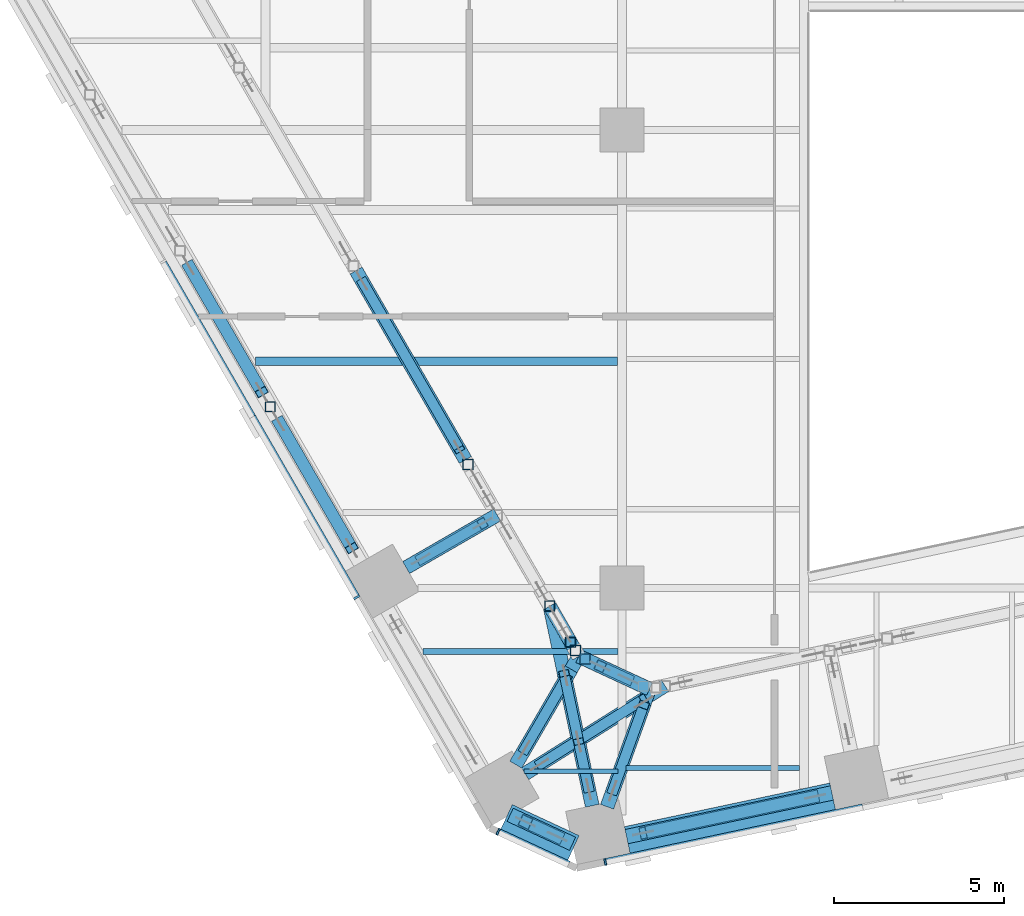
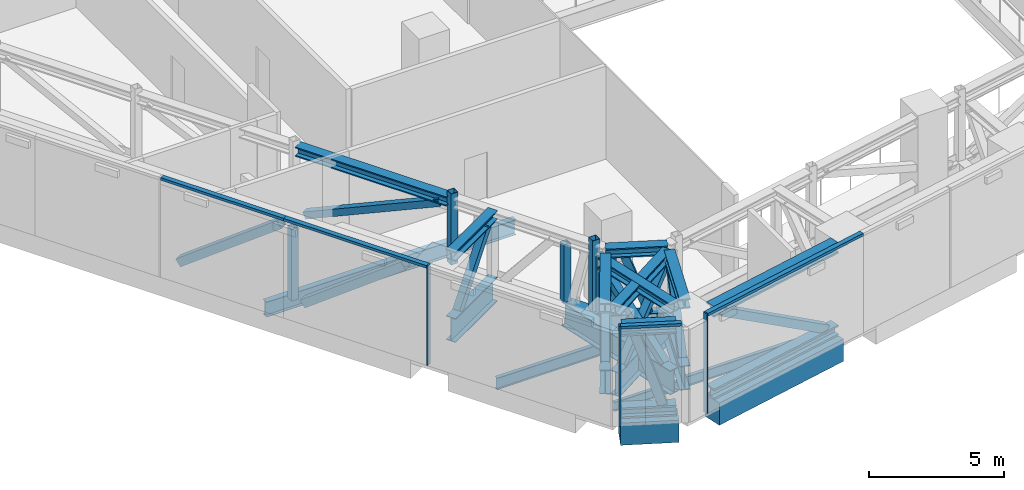
# One storey, part 2 of 36: 43 members, 6 beams, 3 elements without a shape of their own.
"""IFC4 building model written with IfcOpenShell, lengths in metres."""

from ifc_helpers import new_model, si_unit, direction, frame, origin, origin_2d, place, context, subcontext, project, spatial, rectangle, hollow_rectangle, i_section, extrude, material, layer, layer_set, material_profile, profile_set, type_object, element, aggregate, save


model = new_model("IFC4")

# Units and contexts
model_context = context("Model", 3, precision=1e-05, world=origin(), true_north=direction((0.0, 1.0)))
body_context = subcontext(model_context, "Body", "Model", "MODEL_VIEW")
ifc_project = project(units=[si_unit("LENGTHUNIT", "METRE"), si_unit("AREAUNIT", "SQUARE_METRE"), si_unit("VOLUMEUNIT", "CUBIC_METRE"), si_unit("PLANEANGLEUNIT", "RADIAN"), si_unit("MASSUNIT", "GRAM", prefix="KILO")], contexts=[model_context])

# Site, building, storey
site_placement = place(None, origin())
site = spatial("IfcSite", under=ifc_project, at=site_placement, CompositionType="ELEMENT")
building_placement = place(site_placement, origin())
building = spatial("IfcBuilding", under=site, at=building_placement, Name="Isthmus Gate Tower", CompositionType="ELEMENT")
storey_placement = place(building_placement, frame((0.0, 0.0, 117.14990234375)))
storey = spatial("IfcBuildingStorey", under=building, at=storey_placement, Name="L28", CompositionType="ELEMENT", Elevation=117.14990234375)

# Members
ifc_material_1 = material(Name="Structural steel ASTM A913 Gr 65", Category="steel")
ifc_material_profile_1 = material_profile(ifc_material_1, i_section(OverallWidth=0.4287109375, OverallDepth=0.482666015625, WebThickness=0.05078125, FlangeThickness=0.0810546875, at=origin_2d()), Name="W14X455")
ifc_profile_set_1 = profile_set([ifc_material_profile_1], Name="Structural steel ASTM A913 Gr 65")
member_type_1 = type_object("IfcMemberType", Name="BELT TRUSS CHORD W14X455", PredefinedType="CHORD", material=ifc_profile_set_1)
for number, where, z_axis, x_axis, name in (
    (1, (-7.310302734375, -33.042724609375, 0.241455078125), (-0.978147421176, -0.207912535568, 0.0), (0.207912535568, -0.978147421176, 0.0), "str-belt13-L28-01"),
    (2, (-7.310302734375, -33.042724609375, 3.958740234375), (-0.978147421176, -0.207912535568, 0.0), (0.207912535568, -0.978147421176, 0.0), "str-belt13-L28-02"),
):
    element("IfcMember", number, at=place(storey_placement, frame(where, z_axis=z_axis, x_axis=x_axis)), inside=storey, type_object=member_type_1, Name=name, PredefinedType="CHORD", context=body_context, shape_type="SweptSolid", body=[
        extrude(i_section(OverallWidth=0.4287109375, OverallDepth=0.482666015625, WebThickness=0.05078125, FlangeThickness=0.0810546875, at=origin_2d()), origin(), (0.0, 0.0, 1.0), 6.189453125),
    ])
for number, where, z_axis, x_axis, name in (
    (3, (-14.95556640625, -34.5400390625, 0.241455078125), (-0.90721087696, 0.420676151838, 0.0), (-0.420676151838, -0.90721087696, 0.0), "str-belt14-L28-01"),
    (4, (-14.95556640625, -34.5400390625, 3.958740234375), (-0.90721087696, 0.420676151838, 0.0), (-0.420676151838, -0.90721087696, 0.0), "str-belt14-L28-02"),
):
    element("IfcMember", number, at=place(storey_placement, frame(where, z_axis=z_axis, x_axis=x_axis)), inside=storey, type_object=member_type_1, Name=name, PredefinedType="CHORD", context=body_context, shape_type="SweptSolid", body=[
        extrude(i_section(OverallWidth=0.4287109375, OverallDepth=0.482666015625, WebThickness=0.05078125, FlangeThickness=0.0810546875, at=origin_2d()), origin(), (0.0, 0.0, 1.0), 2.02783203125),
    ])

# Curtain wall, member
ifc_material_2 = material(Name="Aluminium, pale champagne anodised", Category="aluminium")
ifc_layer = layer(ifc_material_2, 0.199951171875)
ifc_layer_set = layer_set([ifc_layer], Name="CW-2 LOUVRE CURTAIN WALL 200 DEEP")
curtain_wall_type = type_object("IfcCurtainWallType", Name="CW-2 LOUVRE CURTAIN WALL 200 DEEP", PredefinedType="NOTDEFINED", material=ifc_layer_set)
curtain_wall_1_placement = place(storey_placement, origin())
curtain_wall_1 = element("IfcCurtainWall", 5, at=curtain_wall_1_placement, inside=storey, type_object=curtain_wall_type, Name="CW-2 SW L28", PredefinedType="NOTDEFINED")
ifc_material_3 = material(Name="Aluminium, pale champagne anodised", Category="aluminium")
ifc_material_profile_2 = material_profile(ifc_material_3, rectangle(XDim=0.06005859375, YDim=0.199951171875, at=origin_2d()), Name="60x200")
ifc_profile_set_2 = profile_set([ifc_material_profile_2], Name="Aluminium, pale champagne anodised")
member_type_2 = type_object("IfcMemberType", Name="CW-2 MULLION 60 X 200", PredefinedType="MULLION", material=ifc_profile_set_2)
member_1_placement = place(storey_placement, frame((-21.318115234375, -27.27587890625, 0.0), z_axis=(0.0, 0.0, 1.0), x_axis=(0.5, -0.866025403784, 0.0)))
member_1 = element("IfcMember", 6, at=member_1_placement, type_object=member_type_2, Name="CW-2 mullion", PredefinedType="MULLION", context=body_context, shape_type="SweptSolid", body=[
    extrude(rectangle(XDim=0.06005859375, YDim=0.199951171875, at=origin_2d()), origin(), (0.0, 0.0, 1.0), 4.5),
])

curtain_wall_2_placement = place(storey_placement, origin())
curtain_wall_2 = element("IfcCurtainWall", 7, at=curtain_wall_2_placement, inside=storey, type_object=curtain_wall_type, Name="CW-2 SW-S L28", PredefinedType="NOTDEFINED")
member_2_placement = place(storey_placement, frame((-17.14794921875, -34.184814453125, 0.0), z_axis=(0.0, 0.0, 1.0), x_axis=(0.907256261367, -0.420578264073, 0.0)))
member_2 = element("IfcMember", 8, at=member_2_placement, type_object=member_type_2, Name="CW-2 mullion", PredefinedType="MULLION", context=body_context, shape_type="SweptSolid", body=[
    extrude(rectangle(XDim=0.06005859375, YDim=0.199951171875, at=origin_2d()), origin(), (0.0, 0.0, 1.0), 4.5),
])

curtain_wall_3_placement = place(storey_placement, origin())
curtain_wall_3 = element("IfcCurtainWall", 9, at=curtain_wall_3_placement, inside=storey, type_object=curtain_wall_type, Name="CW-2 S L28", PredefinedType="NOTDEFINED")
member_3_placement = place(storey_placement, frame((-13.992919921875, -35.076416015625, 0.0), z_axis=(0.0, 0.0, 1.0), x_axis=(0.978147600734, 0.207911690818, 0.0)))
member_3 = element("IfcMember", 10, at=member_3_placement, type_object=member_type_2, Name="CW-2 mullion", PredefinedType="MULLION", context=body_context, shape_type="SweptSolid", body=[
    extrude(rectangle(XDim=0.06005859375, YDim=0.199951171875, at=origin_2d()), origin(), (0.0, 0.0, 1.0), 4.5),
])

# Member
ifc_material_4 = material(Name="Aluminium, pale champagne anodised", Category="aluminium")
ifc_material_profile_3 = material_profile(ifc_material_4, rectangle(XDim=0.199951171875, YDim=0.1201171875, at=origin_2d()), Name="200x120")
ifc_profile_set_3 = profile_set([ifc_material_profile_3], Name="Aluminium, pale champagne anodised")
member_type_3 = type_object("IfcMemberType", Name="CW-2 TRANSOM 200 X 120", PredefinedType="USERDEFINED", material=ifc_profile_set_3)
member_4_placement = place(storey_placement, frame((-27.01171875, -17.414306640625, 4.440185546875), z_axis=(0.499996256241, -0.866027565234, 0.0), x_axis=(0.866027565234, 0.499996256241, 0.0)))
member_4 = element("IfcMember", 11, at=member_4_placement, type_object=member_type_3, Name="CW-2 transom", ObjectType="TRANSOM", PredefinedType="USERDEFINED", context=body_context, shape_type="SweptSolid", body=[
    extrude(rectangle(XDim=0.199951171875, YDim=0.1201171875, at=origin_2d()), origin(), (0.0, 0.0, 1.0), 5.24853515625),
])

member_5_placement = place(storey_placement, frame((-24.387451171875, -21.959716796875, 4.440185546875), z_axis=(0.500011900272, -0.86601853305, 0.0), x_axis=(0.86601853305, 0.500011900272, 0.0)))
member_5 = element("IfcMember", 12, at=member_5_placement, type_object=member_type_3, Name="CW-2 transom", ObjectType="TRANSOM", PredefinedType="USERDEFINED", context=body_context, shape_type="SweptSolid", body=[
    extrude(rectangle(XDim=0.199951171875, YDim=0.1201171875, at=origin_2d()), origin(), (0.0, 0.0, 1.0), 6.108642578125),
])

aggregate(curtain_wall_1, [member_4, member_5, member_1])

member_6_placement = place(storey_placement, frame((-17.120849609375, -34.197509765625, 4.440185546875), z_axis=(0.907246225564, -0.420599912268, 0.0), x_axis=(0.420599912268, 0.907246225564, 0.0)))
member_6 = element("IfcMember", 13, at=member_6_placement, type_object=member_type_3, Name="CW-2 transom", ObjectType="TRANSOM", PredefinedType="USERDEFINED", context=body_context, shape_type="SweptSolid", body=[
    extrude(rectangle(XDim=0.199951171875, YDim=0.1201171875, at=origin_2d()), origin(), (0.0, 0.0, 1.0), 2.258544921875),
])

aggregate(curtain_wall_2, [member_2, member_6])

member_7_placement = place(storey_placement, frame((-13.963623046875, -35.0703125, 4.440185546875), z_axis=(0.97815050153, 0.207898043176, 0.0), x_axis=(-0.207898043176, 0.97815050153, 0.0)))
member_7 = element("IfcMember", 14, at=member_7_placement, type_object=member_type_3, Name="CW-2 transom", ObjectType="TRANSOM", PredefinedType="USERDEFINED", context=body_context, shape_type="SweptSolid", body=[
    extrude(rectangle(XDim=0.199951171875, YDim=0.1201171875, at=origin_2d()), origin(), (0.0, 0.0, 1.0), 7.7294921875),
])

aggregate(curtain_wall_3, [member_3, member_7])

# Beams
ifc_material_5 = material(Name="Concrete f'c 70 MPa", Category="concrete")
ifc_material_profile_4 = material_profile(ifc_material_5, rectangle(XDim=0.800048828125, YDim=1.0, at=origin_2d()), Name="RC 800X1000")
ifc_profile_set_4 = profile_set([ifc_material_profile_4], Name="Concrete f'c 70 MPa")
beam_type_1 = type_object("IfcBeamType", Name="RC SPANDREL 800 X 1000", PredefinedType="SPANDREL", material=ifc_profile_set_4)
beam_1_placement = place(storey_placement, frame((-7.28955078125, -33.140625, -0.5), z_axis=(-0.978155442329, -0.207874795591, 0.0), x_axis=(0.207874795591, -0.978155442329, 0.0)))
element("IfcBeam", 15, at=beam_1_placement, inside=storey, type_object=beam_type_1, Name="str-spandrel-L28-13", PredefinedType="SPANDREL", context=body_context, shape_type="SweptSolid", body=[
    extrude(rectangle(XDim=0.800048828125, YDim=1.0, at=origin_2d()), origin(), (0.0, 0.0, 1.0), 6.189453125),
])
beam_2_placement = place(storey_placement, frame((-14.929443359375, -34.662109375, -0.5), z_axis=(-0.907290744498, 0.420503870314, 0.0), x_axis=(-0.420503870314, -0.907290744498, 0.0)))
element("IfcBeam", 16, at=beam_2_placement, inside=storey, type_object=beam_type_1, Name="str-spandrel-L28-14", PredefinedType="SPANDREL", context=body_context, shape_type="SweptSolid", body=[
    extrude(rectangle(XDim=0.800048828125, YDim=1.0, at=origin_2d()), origin(), (0.0, 0.0, 1.0), 2.173095703125),
])
ifc_material_6 = material(Name="Structural steel ASTM A992 Gr 50", Category="steel")
ifc_material_profile_5 = material_profile(ifc_material_6, i_section(OverallWidth=0.1396484375, OverallDepth=0.4033203125, WebThickness=0.00634765625, FlangeThickness=0.010986328125, at=origin_2d()), Name="W16X31")
ifc_profile_set_5 = profile_set([ifc_material_profile_5], Name="Structural steel ASTM A992 Gr 50")
beam_type_2 = type_object("IfcBeamType", Name="STEEL FLOOR BEAM W16X31", PredefinedType="JOIST", material=ifc_profile_set_5)
beam_3_placement = place(storey_placement, frame((-16.393310546875, -32.406005859375, -0.50146484375), z_axis=(1.0, 0.0, 0.0), x_axis=(0.0, 1.0, 0.0)))
element("IfcBeam", 17, at=beam_3_placement, inside=storey, type_object=beam_type_2, Name="str-beam-L28-10-00", PredefinedType="JOIST", context=body_context, shape_type="SweptSolid", body=[
    extrude(i_section(OverallWidth=0.1396484375, OverallDepth=0.4033203125, WebThickness=0.00634765625, FlangeThickness=0.010986328125, at=origin_2d()), origin(), (0.0, 0.0, 1.0), 2.779052734375),
])
ifc_material_7 = material(Name="Structural steel ASTM A992 Gr 50", Category="steel")
ifc_material_profile_6 = material_profile(ifc_material_7, i_section(OverallWidth=0.15234375, OverallDepth=0.45068359375, WebThickness=0.0078125, FlangeThickness=0.010986328125, at=origin_2d()), Name="W18X35")
ifc_profile_set_6 = profile_set([ifc_material_profile_6], Name="Structural steel ASTM A992 Gr 50")
beam_type_3 = type_object("IfcBeamType", Name="STEEL FLOOR BEAM W18X35", PredefinedType="JOIST", material=ifc_profile_set_6)
beam_4_placement = place(storey_placement, frame((-13.3857421875, -32.30322265625, -0.525390625), z_axis=(1.0, 0.0, 0.0), x_axis=(0.0, 1.0, 0.0)))
element("IfcBeam", 18, at=beam_4_placement, inside=storey, type_object=beam_type_3, Name="str-beam-L28-11-00", PredefinedType="JOIST", context=body_context, shape_type="SweptSolid", body=[
    extrude(i_section(OverallWidth=0.15234375, OverallDepth=0.45068359375, WebThickness=0.0078125, FlangeThickness=0.010986328125, at=origin_2d()), origin(), (0.0, 0.0, 1.0), 5.119140625),
])
ifc_material_8 = material(Name="Structural steel ASTM A992 Gr 50", Category="steel")
ifc_material_profile_7 = material_profile(ifc_material_8, i_section(OverallWidth=0.1650390625, OverallDepth=0.52392578125, WebThickness=0.009521484375, FlangeThickness=0.010986328125, at=origin_2d()), Name="W21X44")
ifc_profile_set_7 = profile_set([ifc_material_profile_7], Name="Structural steel ASTM A992 Gr 50")
beam_type_4 = type_object("IfcBeamType", Name="STEEL FLOOR BEAM W21X44", PredefinedType="JOIST", material=ifc_profile_set_7)
beam_5_placement = place(storey_placement, frame((-19.357421875, -28.871826171875, -0.561767578125), z_axis=(1.0, 0.0, 0.0), x_axis=(0.0, 1.0, 0.0)))
element("IfcBeam", 19, at=beam_5_placement, inside=storey, type_object=beam_type_4, Name="str-beam-L28-10-01", PredefinedType="JOIST", context=body_context, shape_type="SweptSolid", body=[
    extrude(i_section(OverallWidth=0.1650390625, OverallDepth=0.52392578125, WebThickness=0.009521484375, FlangeThickness=0.010986328125, at=origin_2d()), origin(), (0.0, 0.0, 1.0), 5.7431640625),
])
ifc_material_9 = material(Name="Structural steel ASTM A992 Gr 50", Category="steel")
ifc_material_profile_8 = material_profile(ifc_material_9, i_section(OverallWidth=0.25390625, OverallDepth=0.679443359375, WebThickness=0.010986328125, FlangeThickness=0.015869140625, at=origin_2d()), Name="W27X84")
ifc_profile_set_8 = profile_set([ifc_material_profile_8], Name="Structural steel ASTM A992 Gr 50")
beam_type_5 = type_object("IfcBeamType", Name="STEEL FLOOR BEAM W27X84", PredefinedType="JOIST", material=ifc_profile_set_8)
beam_6_placement = place(storey_placement, frame((-24.296875, -20.316650390625, -0.6396484375), z_axis=(1.0, 0.0, 0.0), x_axis=(0.0, 1.0, 0.0)))
element("IfcBeam", 20, at=beam_6_placement, inside=storey, type_object=beam_type_5, Name="str-beam-L28-06-01", PredefinedType="JOIST", context=body_context, shape_type="SweptSolid", body=[
    extrude(i_section(OverallWidth=0.25390625, OverallDepth=0.679443359375, WebThickness=0.010986328125, FlangeThickness=0.015869140625, at=origin_2d()), origin(), (0.0, 0.0, 1.0), 10.6650390625),
])

# Members
ifc_material_10 = material(Name="Structural steel ASTM A913 Gr 65", Category="steel")
ifc_material_profile_9 = material_profile(ifc_material_10, i_section(OverallWidth=0.40966796875, OverallDepth=0.42529296875, WebThickness=0.033203125, FlangeThickness=0.052490234375, at=origin_2d()), Name="W14X283")
ifc_profile_set_9 = profile_set([ifc_material_profile_9], Name="Structural steel ASTM A913 Gr 65")
member_type_4 = type_object("IfcMemberType", Name="TRANSFER TRUSS CHORD W14X283", PredefinedType="CHORD", material=ifc_profile_set_9)
member_8_placement = place(storey_placement, frame((-12.685791015625, -29.980712890625, 3.887451171875), z_axis=(-0.907283933545, 0.420518565501, 0.0), x_axis=(-0.420518565501, -0.907283933545, 0.0)))
element("IfcMember", 21, at=member_8_placement, inside=storey, type_object=member_type_4, Name="str-ring06-L28-04", PredefinedType="CHORD", context=body_context, shape_type="SweptSolid", body=[
    extrude(i_section(OverallWidth=0.40966796875, OverallDepth=0.42529296875, WebThickness=0.033203125, FlangeThickness=0.052490234375, at=origin_2d()), origin(), (0.0, 0.0, 1.0), 2.299560546875),
])
member_9_placement = place(storey_placement, frame((-18.113037109375, -23.227294921875, 3.887451171875), z_axis=(-0.500017561474, 0.866015264425, 0.0), x_axis=(-0.866015264425, -0.500017561474, 0.0)))
element("IfcMember", 22, at=member_9_placement, inside=storey, type_object=member_type_4, Name="str-ring07-L28-15", PredefinedType="CHORD", context=body_context, shape_type="SweptSolid", body=[
    extrude(i_section(OverallWidth=0.40966796875, OverallDepth=0.42529296875, WebThickness=0.033203125, FlangeThickness=0.052490234375, at=origin_2d()), origin(), (0.0, 0.0, 1.0), 6.445068359375),
])
member_10_placement = place(storey_placement, frame((-19.86083984375, -26.39990234375, 3.887451171875), z_axis=(0.866043940782, 0.499967891604, 0.0), x_axis=(-0.499967891604, 0.866043940782, 0.0)))
element("IfcMember", 23, at=member_10_placement, inside=storey, type_object=member_type_4, Name="str-link11-L28-02", PredefinedType="CHORD", context=body_context, shape_type="SweptSolid", body=[
    extrude(i_section(OverallWidth=0.40966796875, OverallDepth=0.42529296875, WebThickness=0.033203125, FlangeThickness=0.052490234375, at=origin_2d()), origin(), (0.0, 0.0, 1.0), 3.099853515625),
])
member_11_placement = place(storey_placement, frame((-16.3544921875, -32.474365234375, 3.887451171875), z_axis=(0.846845980754, 0.53183821307, 0.0), x_axis=(-0.53183821307, 0.846845980754, 0.0)))
element("IfcMember", 24, at=member_11_placement, inside=storey, type_object=member_type_4, Name="str-link12-L28-02", PredefinedType="CHORD", context=body_context, shape_type="SweptSolid", body=[
    extrude(i_section(OverallWidth=0.40966796875, OverallDepth=0.42529296875, WebThickness=0.033203125, FlangeThickness=0.052490234375, at=origin_2d()), origin(), (0.0, 0.0, 1.0), 4.12548828125),
])
member_12_placement = place(storey_placement, frame((-14.375732421875, -33.419921875, 3.887451171875), z_axis=(-0.207910742722, 0.978147802257, 0.0), x_axis=(-0.978147802257, -0.207910742722, 0.0)))
element("IfcMember", 25, at=member_12_placement, inside=storey, type_object=member_type_4, Name="str-link13-L28-02", PredefinedType="CHORD", context=body_context, shape_type="SweptSolid", body=[
    extrude(i_section(OverallWidth=0.40966796875, OverallDepth=0.42529296875, WebThickness=0.033203125, FlangeThickness=0.052490234375, at=origin_2d()), origin(), (0.0, 0.0, 1.0), 3.98779296875),
])
member_13_placement = place(storey_placement, frame((-13.937744140625, -33.449951171875, 3.887451171875), z_axis=(0.339441146791, 0.940627294876, 0.0), x_axis=(-0.940627294876, 0.339441146791, 0.0)))
element("IfcMember", 26, at=member_13_placement, inside=storey, type_object=member_type_4, Name="str-link33-L28-02", PredefinedType="CHORD", context=body_context, shape_type="SweptSolid", body=[
    extrude(i_section(OverallWidth=0.40966796875, OverallDepth=0.42529296875, WebThickness=0.033203125, FlangeThickness=0.052490234375, at=origin_2d()), origin(), (0.0, 0.0, 1.0), 3.245849609375),
])
member_14_placement = place(storey_placement, frame((-16.6298828125, -32.208251953125, 3.887451171875), z_axis=(0.502637430954, 0.864497318101, 0.0), x_axis=(-0.864497318101, 0.502637430954, 0.0)))
element("IfcMember", 27, at=member_14_placement, inside=storey, type_object=member_type_4, Name="str-link34-L28-02", PredefinedType="CHORD", context=body_context, shape_type="SweptSolid", body=[
    extrude(i_section(OverallWidth=0.40966796875, OverallDepth=0.42529296875, WebThickness=0.033203125, FlangeThickness=0.052490234375, at=origin_2d()), origin(), (0.0, 0.0, 1.0), 3.25),
])
ifc_material_11 = material(Name="Structural steel ASTM A913 Gr 65", Category="steel")
ifc_material_profile_10 = material_profile(ifc_material_11, i_section(OverallWidth=0.39990234375, OverallDepth=1.089111328125, WebThickness=0.017578125, FlangeThickness=0.03173828125, at=origin_2d()), Name="W44X230")
ifc_profile_set_10 = profile_set([ifc_material_profile_10], Name="Structural steel ASTM A913 Gr 65")
member_type_5 = type_object("IfcMemberType", Name="TRANSFER TRUSS CHORD W44X230", PredefinedType="CHORD", material=ifc_profile_set_10)
member_15_placement = place(storey_placement, frame((-12.685791015625, -29.980712890625, 0.544677734375), z_axis=(-0.907283933545, 0.420518565501, 0.0), x_axis=(-0.420518565501, -0.907283933545, 0.0)))
element("IfcMember", 28, at=member_15_placement, inside=storey, type_object=member_type_5, Name="str-ring06-L28-03", PredefinedType="CHORD", context=body_context, shape_type="SweptSolid", body=[
    extrude(i_section(OverallWidth=0.39990234375, OverallDepth=1.089111328125, WebThickness=0.017578125, FlangeThickness=0.03173828125, at=origin_2d()), origin(), (0.0, 0.0, 1.0), 2.299560546875),
])
member_16_placement = place(storey_placement, frame((-14.772216796875, -29.013671875, 0.544677734375), z_axis=(-0.500011000363, 0.866019052629, 0.0), x_axis=(-0.866019052629, -0.500011000363, 0.0)))
element("IfcMember", 29, at=member_16_placement, inside=storey, type_object=member_type_5, Name="str-ring07-L28-10", PredefinedType="CHORD", context=body_context, shape_type="SweptSolid", body=[
    extrude(i_section(OverallWidth=0.39990234375, OverallDepth=1.089111328125, WebThickness=0.017578125, FlangeThickness=0.03173828125, at=origin_2d()), origin(), (0.0, 0.0, 1.0), 1.708984375),
])
member_17_placement = place(storey_placement, frame((-19.86083984375, -26.39990234375, 0.544677734375), z_axis=(0.866043940782, 0.499967891604, 0.0), x_axis=(-0.499967891604, 0.866043940782, 0.0)))
element("IfcMember", 30, at=member_17_placement, inside=storey, type_object=member_type_5, Name="str-link11-L28-01", PredefinedType="CHORD", context=body_context, shape_type="SweptSolid", body=[
    extrude(i_section(OverallWidth=0.39990234375, OverallDepth=1.089111328125, WebThickness=0.017578125, FlangeThickness=0.03173828125, at=origin_2d()), origin(), (0.0, 0.0, 1.0), 3.099853515625),
])
member_18_placement = place(storey_placement, frame((-16.3544921875, -32.474365234375, 0.544677734375), z_axis=(0.846847466742, 0.531835846923, 0.0), x_axis=(-0.531835846923, 0.846847466742, 0.0)))
element("IfcMember", 31, at=member_18_placement, inside=storey, type_object=member_type_5, Name="str-link12-L28-01", PredefinedType="CHORD", context=body_context, shape_type="SweptSolid", body=[
    extrude(i_section(OverallWidth=0.39990234375, OverallDepth=1.089111328125, WebThickness=0.017578125, FlangeThickness=0.03173828125, at=origin_2d()), origin(), (0.0, 0.0, 1.0), 4.87109375),
])
member_19_placement = place(storey_placement, frame((-14.375732421875, -33.419921875, 0.544677734375), z_axis=(-0.207913582714, 0.978147198597, 0.0), x_axis=(-0.978147198597, -0.207913582714, 0.0)))
element("IfcMember", 32, at=member_19_placement, inside=storey, type_object=member_type_5, Name="str-link13-L28-01", PredefinedType="CHORD", context=body_context, shape_type="SweptSolid", body=[
    extrude(i_section(OverallWidth=0.39990234375, OverallDepth=1.089111328125, WebThickness=0.017578125, FlangeThickness=0.03173828125, at=origin_2d()), origin(), (0.0, 0.0, 1.0), 6.01806640625),
])
member_20_placement = place(storey_placement, frame((-13.937744140625, -33.449951171875, 0.544677734375), z_axis=(0.339446007912, 0.940625540645, 0.0), x_axis=(-0.940625540645, 0.339446007912, 0.0)))
element("IfcMember", 33, at=member_20_placement, inside=storey, type_object=member_type_5, Name="str-link33-L28-01", PredefinedType="CHORD", context=body_context, shape_type="SweptSolid", body=[
    extrude(i_section(OverallWidth=0.39990234375, OverallDepth=1.089111328125, WebThickness=0.017578125, FlangeThickness=0.03173828125, at=origin_2d()), origin(), (0.0, 0.0, 1.0), 3.688232421875),
])
member_21_placement = place(storey_placement, frame((-16.6298828125, -32.208251953125, 0.544677734375), z_axis=(0.502691648218, 0.864465792737, 0.0), x_axis=(-0.864465792737, 0.502691648218, 0.0)))
element("IfcMember", 34, at=member_21_placement, inside=storey, type_object=member_type_5, Name="str-link34-L28-01", PredefinedType="CHORD", context=body_context, shape_type="SweptSolid", body=[
    extrude(i_section(OverallWidth=0.39990234375, OverallDepth=1.089111328125, WebThickness=0.017578125, FlangeThickness=0.03173828125, at=origin_2d()), origin(), (0.0, 0.0, 1.0), 3.695556640625),
])
ifc_material_12 = material(Name="Structural steel ASTM A500 Gr C", Category="steel")
ifc_material_profile_11 = material_profile(ifc_material_12, hollow_rectangle(XDim=0.3046875, YDim=0.3046875, WallThickness=0.014892578125, at=origin_2d()), Name="HSS12X12X5/8")
ifc_profile_set_11 = profile_set([ifc_material_profile_11], Name="Structural steel ASTM A500 Gr C")
member_type_6 = type_object("IfcMemberType", Name="TRANSFER TRUSS DIAGONAL HSS12X12X5/8", PredefinedType="BRACE", material=ifc_profile_set_11)
member_22_placement = place(storey_placement, frame((-13.321044921875, -29.6865234375, 1.089111328125), z_axis=(-0.298194623027, 0.138307374496, 0.944431594642), x_axis=(-0.420760570712, -0.907171726926, 0.0)))
element("IfcMember", 35, at=member_22_placement, inside=storey, type_object=member_type_6, Name="str-ring06-L28-05", PredefinedType="BRACE", context=body_context, shape_type="SweptSolid", body=[
    extrude(hollow_rectangle(XDim=0.3046875, YDim=0.3046875, WallThickness=0.014892578125, at=origin_2d()), origin(), (0.0, 0.0, 1.0), 2.73779296875),
])
member_23_placement = place(storey_placement, frame((-21.161865234375, -17.94677734375, 1.089111328125), z_axis=(0.456023146335, -0.789830850258, 0.410134268243), x_axis=(0.866018712932, 0.500011588718, 0.0)))
element("IfcMember", 36, at=member_23_placement, inside=storey, type_object=member_type_6, Name="str-ring07-L28-22", PredefinedType="BRACE", context=body_context, shape_type="SweptSolid", body=[
    extrude(hollow_rectangle(XDim=0.3046875, YDim=0.3046875, WallThickness=0.014892578125, at=origin_2d()), origin(), (0.0, 0.0, 1.0), 6.304443359375),
])
member_24_placement = place(storey_placement, frame((-19.427734375, -26.14990234375, 1.089111328125), z_axis=(0.545971648763, 0.315166880075, 0.776263355087), x_axis=(-0.49994051562, 0.866059744384, 0.0)))
element("IfcMember", 37, at=member_24_placement, inside=storey, type_object=member_type_6, Name="str-link11-L28-03", PredefinedType="BRACE", context=body_context, shape_type="SweptSolid", body=[
    extrude(hollow_rectangle(XDim=0.3046875, YDim=0.3046875, WallThickness=0.014892578125, at=origin_2d()), origin(), (0.0, 0.0, 1.0), 3.3310546875),
])
member_25_placement = place(storey_placement, frame((-15.930908203125, -32.20849609375, 1.089111328125), z_axis=(0.689438846971, 0.433016939434, 0.58066376368), x_axis=(-0.531868097143, 0.846827212152, 0.0)))
element("IfcMember", 38, at=member_25_placement, inside=storey, type_object=member_type_6, Name="str-link12-L28-03", PredefinedType="BRACE", context=body_context, shape_type="SweptSolid", body=[
    extrude(hollow_rectangle(XDim=0.3046875, YDim=0.3046875, WallThickness=0.014892578125, at=origin_2d()), origin(), (0.0, 0.0, 1.0), 4.452880859375),
])
member_26_placement = place(storey_placement, frame((-14.479736328125, -32.930908203125, 1.089111328125), z_axis=(-0.166934886625, 0.785825454007, 0.595492316879), x_axis=(-0.978172268059, -0.207795606309, 0.0)))
element("IfcMember", 39, at=member_26_placement, inside=storey, type_object=member_type_6, Name="str-link13-L28-03", PredefinedType="BRACE", context=body_context, shape_type="SweptSolid", body=[
    extrude(hollow_rectangle(XDim=0.3046875, YDim=0.3046875, WallThickness=0.014892578125, at=origin_2d()), origin(), (0.0, 0.0, 1.0), 1.7841796875),
])
member_27_placement = place(storey_placement, frame((-13.76806640625, -32.9794921875, 1.089111328125), z_axis=(0.244618994448, 0.677889833157, 0.693272617127), x_axis=(-0.940631250937, 0.339430183927, 0.0)))
element("IfcMember", 40, at=member_27_placement, inside=storey, type_object=member_type_6, Name="str-link33-L28-03", PredefinedType="BRACE", context=body_context, shape_type="SweptSolid", body=[
    extrude(hollow_rectangle(XDim=0.3046875, YDim=0.3046875, WallThickness=0.014892578125, at=origin_2d()), origin(), (0.0, 0.0, 1.0), 3.729736328125),
])
member_28_placement = place(storey_placement, frame((-16.37841796875, -31.776123046875, 1.089111328125), z_axis=(0.362722134642, 0.623913377536, 0.692217271074), x_axis=(-0.864518145128, 0.502601608378, 0.0)))
element("IfcMember", 41, at=member_28_placement, inside=storey, type_object=member_type_6, Name="str-link34-L28-03", PredefinedType="BRACE", context=body_context, shape_type="SweptSolid", body=[
    extrude(hollow_rectangle(XDim=0.3046875, YDim=0.3046875, WallThickness=0.014892578125, at=origin_2d()), origin(), (0.0, 0.0, 1.0), 3.431396484375),
])
member_29_placement = place(storey_placement, frame((-14.777587890625, -31.52880859375, 2.151611328125), z_axis=(-0.167055793924, 0.785734994166, 0.595577770454), x_axis=(-0.978136798005, -0.207962507169, 0.0)))
element("IfcMember", 42, at=member_29_placement, inside=storey, type_object=member_type_6, Name="str-link13-L28-03b", PredefinedType="BRACE", context=body_context, shape_type="SweptSolid", body=[
    extrude(hollow_rectangle(XDim=0.3046875, YDim=0.3046875, WallThickness=0.014892578125, at=origin_2d()), origin(), (0.0, 0.0, 1.0), 2.5576171875),
])
ifc_material_13 = material(Name="Structural steel ASTM A500 Gr C", Category="steel")
ifc_material_profile_12 = material_profile(ifc_material_13, hollow_rectangle(XDim=0.3046875, YDim=0.3046875, WallThickness=0.014892578125, at=origin_2d()), Name="HSS12X12X5/8")
ifc_profile_set_12 = profile_set([ifc_material_profile_12], Name="Structural steel ASTM A500 Gr C")
member_type_7 = type_object("IfcMemberType", Name="TRANSFER TRUSS POST HSS12X12X5/8", PredefinedType="POST", material=ifc_profile_set_12)
for number, where, z_axis, x_axis, name in (
    (43, (-14.591064453125, -29.09765625, 1.089111328125), (0.0, 0.0, 1.0), (1.0, 0.0, 0.0), "str-ring06-L28-02"),
    (44, (-14.872314453125, -28.84033203125, 1.089111328125), (0.0, 0.0, 1.0), (1.0, 0.0, 0.0), "str-ring07-L28-01"),
):
    element("IfcMember", number, at=place(storey_placement, frame(where, z_axis=z_axis, x_axis=x_axis)), inside=storey, type_object=member_type_7, Name=name, PredefinedType="POST", context=body_context, shape_type="SweptSolid", body=[
        extrude(hollow_rectangle(XDim=0.3046875, YDim=0.3046875, WallThickness=0.014892578125, at=origin_2d()), origin(), (0.0, 0.0, 1.0), 2.585693359375),
    ])
member_30_placement = place(storey_placement, frame((-15.01123046875, -28.599609375, 1.089111328125), z_axis=(0.0, 0.0, 1.0), x_axis=(1.0, 0.0, 0.0)))
element("IfcMember", 45, at=member_30_placement, inside=storey, type_object=member_type_7, Name="str-ring07-L28-02", PredefinedType="POST", context=body_context, shape_type="SweptSolid", body=[
    extrude(hollow_rectangle(XDim=0.3046875, YDim=0.3046875, WallThickness=0.014892578125, at=origin_2d()), origin(), (0.0, 0.0, 1.0), 3.2109375),
])
member_31_placement = place(storey_placement, frame((-15.626708984375, -27.53369140625, 1.089111328125), z_axis=(0.0, 0.0, 1.0), x_axis=(1.0, 0.0, 0.0)))
element("IfcMember", 46, at=member_31_placement, inside=storey, type_object=member_type_7, Name="str-ring07-L28-03", PredefinedType="POST", context=body_context, shape_type="SweptSolid", body=[
    extrude(hollow_rectangle(XDim=0.3046875, YDim=0.3046875, WallThickness=0.014892578125, at=origin_2d()), origin(), (0.0, 0.0, 1.0), 2.585693359375),
])
member_32_placement = place(storey_placement, frame((-18.036865234375, -23.359375, 1.089111328125), z_axis=(0.0, 0.0, 1.0), x_axis=(1.0, 0.0, 0.0)))
element("IfcMember", 47, at=member_32_placement, inside=storey, type_object=member_type_7, Name="str-ring07-L28-05", PredefinedType="POST", context=body_context, shape_type="SweptSolid", body=[
    extrude(hollow_rectangle(XDim=0.3046875, YDim=0.3046875, WallThickness=0.014892578125, at=origin_2d()), origin(), (0.0, 0.0, 1.0), 3.2109375),
])
ifc_material_14 = material(Name="Structural steel ASTM A500 Gr C", Category="steel")
ifc_material_profile_13 = material_profile(ifc_material_14, hollow_rectangle(XDim=0.355712890625, YDim=0.355712890625, WallThickness=0.017578125, at=origin_2d()), Name="HSS14X14X3/4")
ifc_profile_set_13 = profile_set([ifc_material_profile_13], Name="Structural steel ASTM A500 Gr C")
member_type_8 = type_object("IfcMemberType", Name="TRUSS DIAGONAL HSS14X14X3/4", PredefinedType="BRACE", material=ifc_profile_set_13)
member_33_placement = place(storey_placement, frame((-7.799560546875, -33.146728515625, 0.482666015625), z_axis=(-0.830077113303, -0.176427817983, 0.529003980148), x_axis=(0.207899831035, -0.978150121533, 0.0)))
element("IfcMember", 48, at=member_33_placement, inside=storey, type_object=member_type_8, Name="str-belt13-L28-03", PredefinedType="BRACE", context=body_context, shape_type="SweptSolid", body=[
    extrude(hollow_rectangle(XDim=0.355712890625, YDim=0.355712890625, WallThickness=0.017578125, at=origin_2d()), origin(), (0.0, 0.0, 1.0), 6.114990234375),
])
member_34_placement = place(storey_placement, frame((-15.4091796875, -34.32958984375, 0.482666015625), z_axis=(-0.2746983299, 0.127315015429, 0.953064381035), x_axis=(-0.42050394296, -0.907290710828, 0.0)))
element("IfcMember", 49, at=member_34_placement, inside=storey, type_object=member_type_8, Name="str-belt14-L28-03", PredefinedType="BRACE", context=body_context, shape_type="SweptSolid", body=[
    extrude(hollow_rectangle(XDim=0.355712890625, YDim=0.355712890625, WallThickness=0.017578125, at=origin_2d()), origin(), (0.0, 0.0, 1.0), 3.394287109375),
])
member_35_placement = place(storey_placement, frame((-23.617919921875, -22.092529296875, 0.482666015625), z_axis=(0.399868399364, -0.692576598785, 0.60036898488), x_axis=(0.866020469142, 0.500008546953, 0.0)))
element("IfcMember", 50, at=member_35_placement, inside=storey, type_object=member_type_8, Name="str-belt16-L28-06", PredefinedType="BRACE", context=body_context, shape_type="SweptSolid", body=[
    extrude(hollow_rectangle(XDim=0.355712890625, YDim=0.355712890625, WallThickness=0.017578125, at=origin_2d()), origin(), (0.0, 0.0, 1.0), 5.38818359375),
])
member_36_placement = place(storey_placement, frame((-26.27197265625, -17.49560546875, 0.482666015625), z_axis=(0.399842453868, -0.692507371365, 0.600466112858), x_axis=(0.866012874985, 0.500021699889, 0.0)))
element("IfcMember", 51, at=member_36_placement, inside=storey, type_object=member_type_8, Name="str-belt16-L28-07", PredefinedType="BRACE", context=body_context, shape_type="SweptSolid", body=[
    extrude(hollow_rectangle(XDim=0.355712890625, YDim=0.355712890625, WallThickness=0.017578125, at=origin_2d()), origin(), (0.0, 0.0, 1.0), 5.38720703125),
])
ifc_material_15 = material(Name="Structural steel ASTM A500 Gr C", Category="steel")
ifc_material_profile_14 = material_profile(ifc_material_15, hollow_rectangle(XDim=0.3046875, YDim=0.3046875, WallThickness=0.014892578125, at=origin_2d()), Name="HSS12X12X5/8")
ifc_profile_set_14 = profile_set([ifc_material_profile_14], Name="Structural steel ASTM A500 Gr C")
member_type_9 = type_object("IfcMemberType", Name="TRUSS POST HSS12X12X5/8", PredefinedType="POST", material=ifc_profile_set_14)
member_37_placement = place(storey_placement, frame((-23.867919921875, -21.659423828125, 0.482666015625), z_axis=(0.0, 0.0, 1.0), x_axis=(1.0, 0.0, 0.0)))
element("IfcMember", 52, at=member_37_placement, inside=storey, type_object=member_type_9, Name="str-belt16-L28-01", PredefinedType="POST", context=body_context, shape_type="SweptSolid", body=[
    extrude(hollow_rectangle(XDim=0.3046875, YDim=0.3046875, WallThickness=0.014892578125, at=origin_2d()), origin(), (0.0, 0.0, 1.0), 3.23486328125),
])

save(model, "model.ifc")
